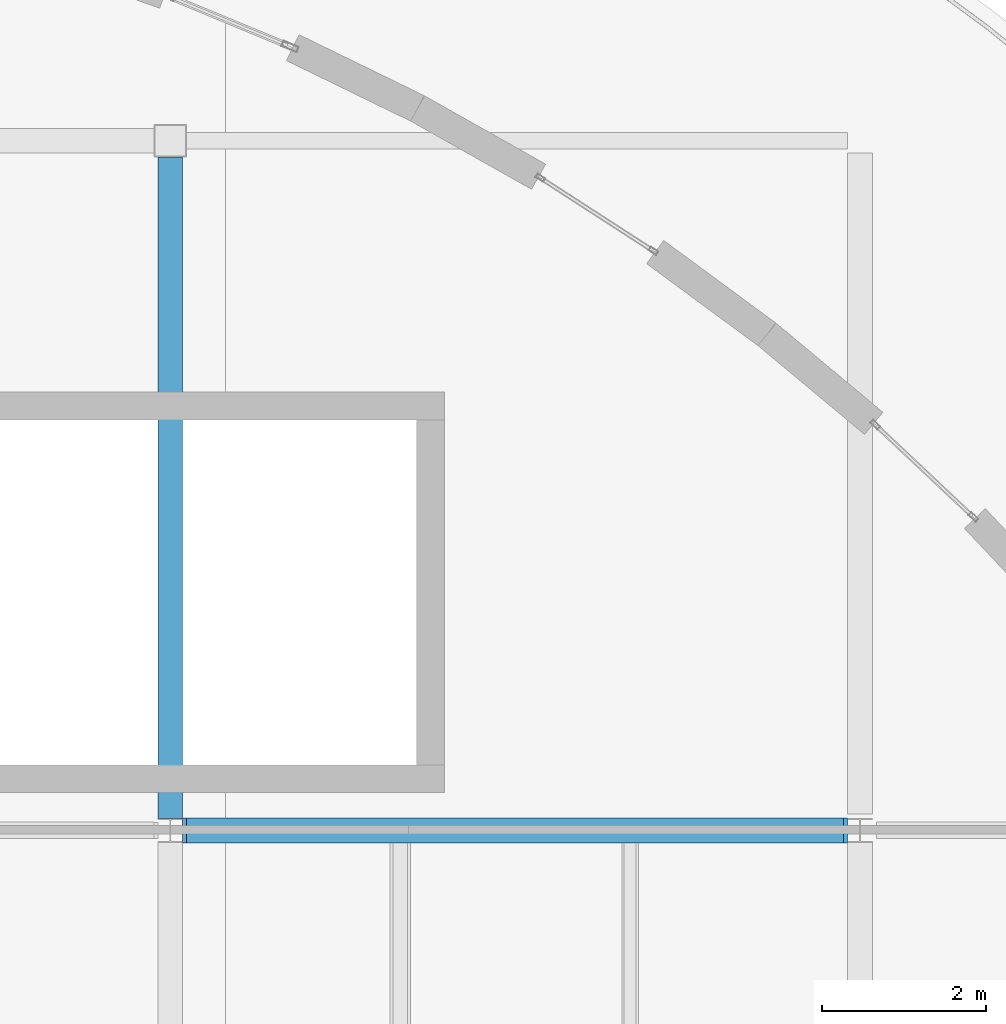
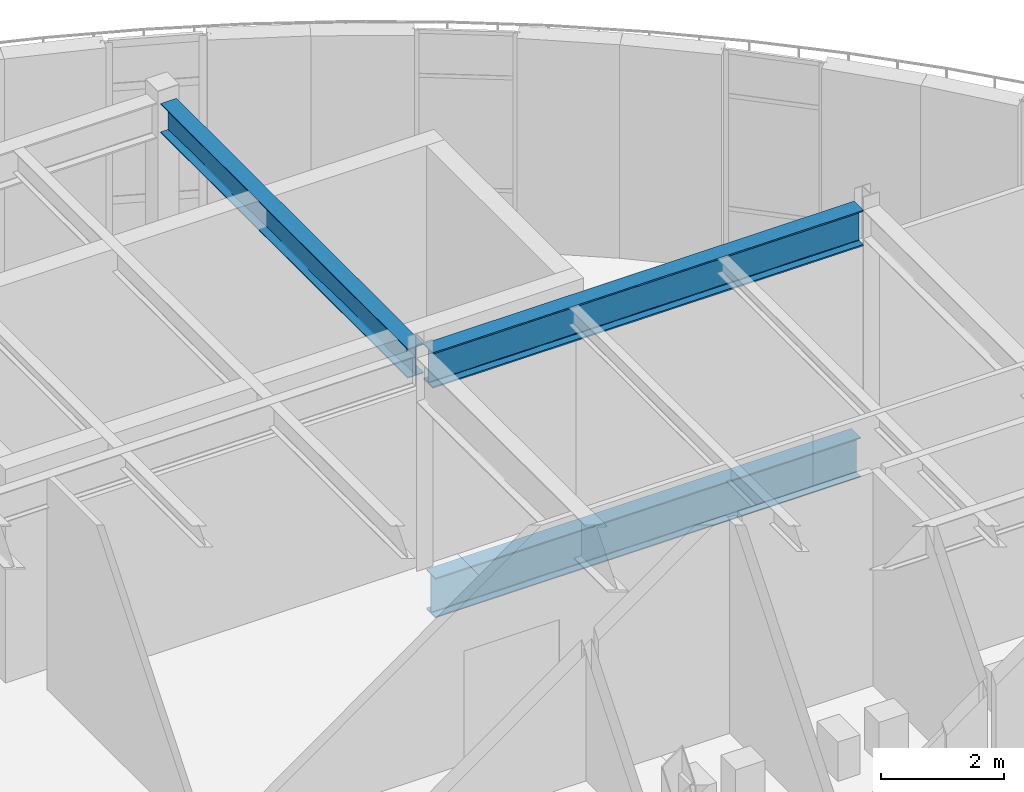
# One storey, part 8 of 26: 3 beams.
"""IFC4 building model written with IfcOpenShell, lengths in metres."""

from ifc_helpers import new_model, si_unit, direction, frame, origin, origin_2d, place, context, subcontext, project, spatial, i_section, extrude, material, material_profile, profile_set, type_object, element, save


model = new_model("IFC4")

# Units and contexts
model_context = context("Model", 3, precision=1e-05, world=origin(), true_north=direction((0.0, 1.0)))
body_context = subcontext(model_context, "Body", "Model", "MODEL_VIEW")
ifc_project = project(units=[si_unit("LENGTHUNIT", "METRE"), si_unit("AREAUNIT", "SQUARE_METRE"), si_unit("VOLUMEUNIT", "CUBIC_METRE"), si_unit("PLANEANGLEUNIT", "RADIAN"), si_unit("MASSUNIT", "GRAM", prefix="KILO"), si_unit("THERMODYNAMICTEMPERATUREUNIT", "KELVIN")], contexts=[model_context])

# Site, building, storey
site_placement = place(None, origin())
site = spatial("IfcSite", under=ifc_project, at=site_placement, CompositionType="ELEMENT")
building_placement = place(site_placement, origin())
building = spatial("IfcBuilding", under=site, at=building_placement, Name="Lustrewick Department Store", CompositionType="ELEMENT")
storey_placement = place(building_placement, frame((0.0, 0.0, 36.300048828125)))
storey = spatial("IfcBuildingStorey", under=building, at=storey_placement, Name="L08", CompositionType="ELEMENT", Elevation=36.300048828125)

# Beams
ifc_material_1 = material(Name="Structural steel Q355B", Category="steel")
ifc_material_profile_1 = material_profile(ifc_material_1, i_section(OverallWidth=0.300048828125, OverallDepth=0.7919921875, WebThickness=0.013916015625, FlangeThickness=0.02197265625, FilletRadius=0.02197265625, at=origin_2d()), Name="HN 792x300x14x22")
ifc_profile_set_1 = profile_set([ifc_material_profile_1], Name="Structural steel Q355B")
beam_type_1 = type_object("IfcBeamType", Name="G06", PredefinedType="BEAM", material=ifc_profile_set_1)
beam_1_placement = place(storey_placement, frame((126.199951171875, 75.60009765625, -0.651123046875), z_axis=(1.0, 0.0, 0.0), x_axis=(0.0, 1.0, 0.0)))
element("IfcBeam", 1, at=beam_1_placement, inside=storey, type_object=beam_type_1, Name="L08 V4 Girder G06", PredefinedType="BEAM", context=body_context, shape_type="SweptSolid", body=[
    extrude(i_section(OverallWidth=0.300048828125, OverallDepth=0.7919921875, WebThickness=0.013916015625, FlangeThickness=0.02197265625, FilletRadius=0.02197265625, at=origin_2d()), origin(), (0.0, 0.0, 1.0), 8.0),
])
ifc_material_2 = material(Name="Structural steel Q355C", Category="steel")
ifc_material_profile_2 = material_profile(ifc_material_2, i_section(OverallWidth=0.302001953125, OverallDepth=0.7080078125, WebThickness=0.014892578125, FlangeThickness=0.028076171875, FilletRadius=0.02001953125, at=origin_2d()), Name="HN 708x302x15x28")
ifc_profile_set_2 = profile_set([ifc_material_profile_2], Name="Structural steel Q355C")
beam_type_2 = type_object("IfcBeamType", Name="G07", PredefinedType="BEAM", material=ifc_profile_set_2)
beam_2_placement = place(storey_placement, frame((126.15087890625, 75.60009765625, 3.890869140625), z_axis=(1.0, 0.0, 0.0), x_axis=(0.0, 1.0, 0.0)))
element("IfcBeam", 2, at=beam_2_placement, inside=storey, type_object=beam_type_2, Name="L08 V4 Girder G07", PredefinedType="BEAM", context=body_context, shape_type="SweptSolid", body=[
    extrude(i_section(OverallWidth=0.302001953125, OverallDepth=0.7080078125, WebThickness=0.014892578125, FlangeThickness=0.028076171875, FilletRadius=0.02001953125, at=origin_2d()), origin(), (0.0, 0.0, 1.0), 8.09814453125),
])
ifc_material_profile_3 = material_profile(ifc_material_1, i_section(OverallWidth=0.300048828125, OverallDepth=0.58203125, WebThickness=0.011962890625, FlangeThickness=0.01708984375, FilletRadius=0.02392578125, at=origin_2d()), Name="HM 582x300x12x17")
ifc_profile_set_3 = profile_set([ifc_material_profile_3], Name="Structural steel Q355B")
beam_type_3 = type_object("IfcBeamType", Name="G12", PredefinedType="BEAM", material=ifc_profile_set_3)
beam_3_placement = place(storey_placement, frame((126.0, 75.7470703125, 3.953857421875), z_axis=(0.0, 1.0, 0.0), x_axis=(-1.0, 0.0, 0.0)))
element("IfcBeam", 3, at=beam_3_placement, inside=storey, type_object=beam_type_3, Name="L08 V4 Girder G12", PredefinedType="BEAM", context=body_context, shape_type="SweptSolid", body=[
    extrude(i_section(OverallWidth=0.300048828125, OverallDepth=0.58203125, WebThickness=0.011962890625, FlangeThickness=0.01708984375, FilletRadius=0.02392578125, at=origin_2d()), origin(), (0.0, 0.0, 1.0), 8.052978515625),
])

save(model, "model.ifc")
